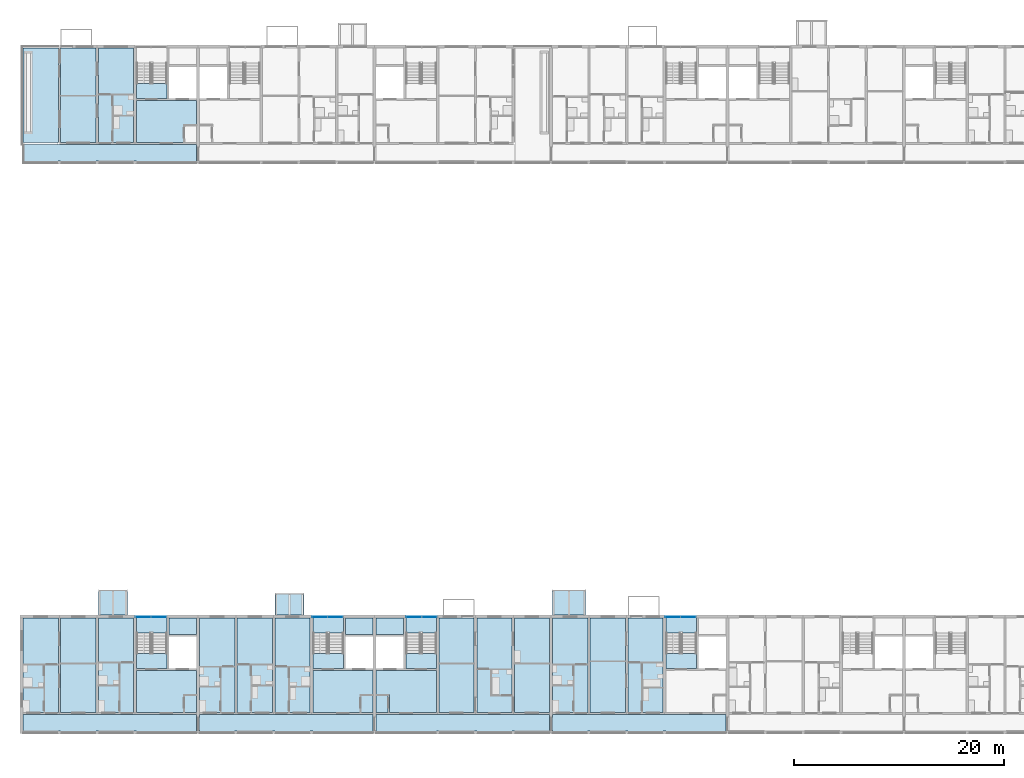
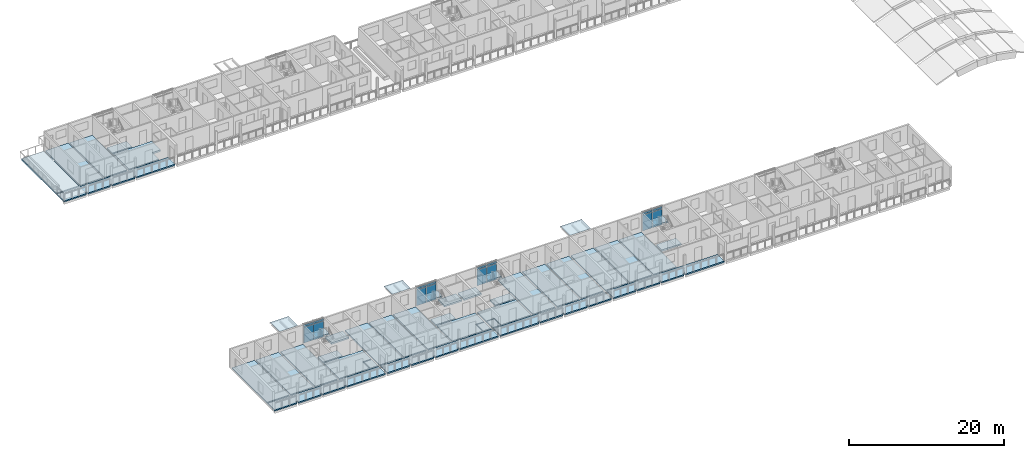
# One storey, part 22 of 93: 42 slabs, 16 plates, 8 elements without a shape of their own.
"""IFC4 building model written with IfcOpenShell, lengths in metres."""

from ifc_helpers import new_model, si_unit, direction, frame, origin, origin_2d, place, context, subcontext, project, spatial, polyline, rectangle, outline, extrude, material, layer, layer_set, type_object, element, aggregate, save


model = new_model("IFC4")

# Units and contexts
model_context = context("Model", 3, precision=1e-05, world=origin(), true_north=direction((0.0, 1.0)))
body_context = subcontext(model_context, "Body", "Model", "MODEL_VIEW")
ifc_project = project(units=[si_unit("LENGTHUNIT", "METRE"), si_unit("AREAUNIT", "SQUARE_METRE"), si_unit("VOLUMEUNIT", "CUBIC_METRE"), si_unit("PLANEANGLEUNIT", "RADIAN"), si_unit("MASSUNIT", "GRAM", prefix="KILO")], contexts=[model_context])

# Site, building, storey
site_placement = place(None, origin())
site = spatial("IfcSite", under=ifc_project, at=site_placement, CompositionType="ELEMENT")
building_placement = place(site_placement, origin())
building = spatial("IfcBuilding", under=site, at=building_placement, Name="Ridgestep Commons", CompositionType="ELEMENT")
storey_placement = place(building_placement, frame((0.0, 0.0, 18.0)))
storey = spatial("IfcBuildingStorey", under=building, at=storey_placement, Name="L06", CompositionType="ELEMENT", Elevation=18.0)

# Slabs
ifc_material_1 = material(Name="Precast concrete C40/50", Category="concrete")
ifc_layer_1 = layer(ifc_material_1, 0.199951171875)
ifc_layer_set_1 = layer_set([ifc_layer_1], Name="Gallery slab 200")
slab_type_1 = type_object("IfcSlabType", Name="Gallery slab 200", PredefinedType="FLOOR", material=ifc_layer_set_1)
slab_1_placement = place(storey_placement, frame((0.0, 0.0, -0.199951171875)))
element("IfcSlab", 1, at=slab_1_placement, inside=storey, type_object=slab_type_1, Name="Gallery slab A1 L06", PredefinedType="FLOOR", context=body_context, shape_type="SweptSolid", body=[
    extrude(outline(polyline([(28.64990234375, 13.550048828125), (12.14990234375, 13.550048828125), (12.14990234375, 11.75), (15.47509765625, 11.75), (15.47509765625, 12.0), (15.72509765625, 12.0), (15.72509765625, 11.75), (19.074951171875, 11.75), (19.074951171875, 12.0), (19.324951171875, 12.0), (19.324951171875, 11.75), (22.675048828125, 11.75), (22.675048828125, 12.0), (22.925048828125, 12.0), (22.925048828125, 11.75), (28.64990234375, 11.75), (28.64990234375, 13.550048828125)])), origin(), (0.0, 0.0, 1.0), 0.199951171875),
])
slab_2_placement = place(storey_placement, frame((0.0, 0.0, -0.199951171875)))
element("IfcSlab", 2, at=slab_2_placement, inside=storey, type_object=slab_type_1, Name="Gallery slab A2 L06", PredefinedType="FLOOR", context=body_context, shape_type="SweptSolid", body=[
    extrude(outline(polyline([(45.449951171875, 13.550048828125), (28.949951171875, 13.550048828125), (28.949951171875, 11.75), (32.27490234375, 11.75), (32.27490234375, 12.0), (32.52490234375, 12.0), (32.52490234375, 11.75), (35.875, 11.75), (35.875, 12.0), (36.125, 12.0), (36.125, 11.75), (39.47509765625, 11.75), (39.47509765625, 12.0), (39.72509765625, 12.0), (39.72509765625, 11.75), (45.449951171875, 11.75), (45.449951171875, 13.550048828125)])), origin(), (0.0, 0.0, 1.0), 0.199951171875),
])
slab_3_placement = place(storey_placement, frame((0.0, 0.0, -0.199951171875)))
element("IfcSlab", 3, at=slab_3_placement, inside=storey, type_object=slab_type_1, Name="Gallery slab A3 L06", PredefinedType="FLOOR", context=body_context, shape_type="SweptSolid", body=[
    extrude(outline(polyline([(62.25, 13.550048828125), (45.75, 13.550048828125), (45.75, 11.75), (51.47509765625, 11.75), (51.47509765625, 12.0), (51.72509765625, 12.0), (51.72509765625, 11.75), (55.074951171875, 11.75), (55.074951171875, 12.0), (55.324951171875, 12.0), (55.324951171875, 11.75), (58.675048828125, 11.75), (58.675048828125, 12.0), (58.925048828125, 12.0), (58.925048828125, 11.75), (62.25, 11.75), (62.25, 13.550048828125)])), origin(), (0.0, 0.0, 1.0), 0.199951171875),
])
slab_4_placement = place(storey_placement, frame((0.0, 0.0, -0.199951171875)))
element("IfcSlab", 4, at=slab_4_placement, inside=storey, type_object=slab_type_1, Name="Gallery slab A4 L06", PredefinedType="FLOOR", context=body_context, shape_type="SweptSolid", body=[
    extrude(outline(polyline([(79.050048828125, 13.550048828125), (62.550048828125, 13.550048828125), (62.550048828125, 11.75), (65.875, 11.75), (65.875, 12.0), (66.125, 12.0), (66.125, 11.75), (69.47509765625, 11.75), (69.47509765625, 12.0), (69.72509765625, 12.0), (69.72509765625, 11.75), (73.074951171875, 11.75), (73.074951171875, 12.0), (73.324951171875, 12.0), (73.324951171875, 11.75), (79.050048828125, 11.75), (79.050048828125, 13.550048828125)])), origin(), (0.0, 0.0, 1.0), 0.199951171875),
])
slab_5_placement = place(storey_placement, frame((0.0, 0.0, -0.199951171875)))
element("IfcSlab", 5, at=slab_5_placement, inside=storey, type_object=slab_type_1, Name="Gallery slab B1 L06", PredefinedType="FLOOR", context=body_context, shape_type="SweptSolid", body=[
    extrude(outline(polyline([(28.64990234375, 67.800048828125), (12.14990234375, 67.800048828125), (12.14990234375, 66.0), (15.47509765625, 66.0), (15.47509765625, 66.25), (15.72509765625, 66.25), (15.72509765625, 66.0), (19.074951171875, 66.0), (19.074951171875, 66.25), (19.324951171875, 66.25), (19.324951171875, 66.0), (22.675048828125, 66.0), (22.675048828125, 66.25), (22.925048828125, 66.25), (22.925048828125, 66.0), (28.64990234375, 66.0), (28.64990234375, 67.800048828125)])), origin(), (0.0, 0.0, 1.0), 0.199951171875),
])

# Curtain wall, plates
ifc_material_2 = material(Name="Aluminium 6063-T6 and glass", Category="aluminium")
curtain_wall_type = type_object("IfcCurtainWallType", Name="Curtain wall stair strip", PredefinedType="NOTDEFINED", material=ifc_material_2)
curtain_wall_1_placement = place(storey_placement, origin())
curtain_wall_1 = element("IfcCurtainWall", 6, at=curtain_wall_1_placement, inside=storey, type_object=curtain_wall_type, Name="Curtain wall A1C level 06", PredefinedType="NOTDEFINED")
ifc_material_3 = material(Name="Glass laminated 6/16/6 low-emissivity", Category="glass")
ifc_layer_2 = layer(ifc_material_3, 0.028076171875)
ifc_layer_set_2 = layer_set([ifc_layer_2], Name="Glazing panel 28")
plate_type_1 = type_object("IfcPlateType", Name="Glazing panel 28", PredefinedType="CURTAIN_PANEL", material=ifc_layer_set_2)
plate_1_placement = place(storey_placement, frame((23.5712890625, 22.830078125, 0.06005859375), z_axis=(0.0, 0.0, 1.0), x_axis=(1.0, 0.0, 0.0)))
plate_1 = element("IfcPlate", 7, at=plate_1_placement, type_object=plate_type_1, Name="CW1 panel 1.1", PredefinedType="CURTAIN_PANEL", context=body_context, shape_type="SweptSolid", body=[
    extrude(rectangle(XDim=1.422607421875, YDim=0.028076171875, at=origin_2d()), origin(), (0.0, 0.0, 1.0), 2.5),
])
plate_2_placement = place(storey_placement, frame((25.0537109375, 22.830078125, 0.06005859375), z_axis=(0.0, 0.0, 1.0), x_axis=(1.0, 0.0, 0.0)))
plate_2 = element("IfcPlate", 8, at=plate_2_placement, type_object=plate_type_1, Name="CW1 panel 2.1", PredefinedType="CURTAIN_PANEL", context=body_context, shape_type="SweptSolid", body=[
    extrude(rectangle(XDim=1.422607421875, YDim=0.028076171875, at=origin_2d()), origin(), (0.0, 0.0, 1.0), 2.5),
])

curtain_wall_2_placement = place(storey_placement, origin())
curtain_wall_2 = element("IfcCurtainWall", 9, at=curtain_wall_2_placement, inside=storey, type_object=curtain_wall_type, Name="Curtain wall A2C level 06", PredefinedType="NOTDEFINED")
plate_3_placement = place(storey_placement, frame((40.371337890625, 22.830078125, 0.06005859375), z_axis=(0.0, 0.0, 1.0), x_axis=(1.0, 0.0, 0.0)))
plate_3 = element("IfcPlate", 10, at=plate_3_placement, type_object=plate_type_1, Name="CW1 panel 1.1", PredefinedType="CURTAIN_PANEL", context=body_context, shape_type="SweptSolid", body=[
    extrude(rectangle(XDim=1.422607421875, YDim=0.028076171875, at=origin_2d()), origin(), (0.0, 0.0, 1.0), 2.5),
])
plate_4_placement = place(storey_placement, frame((41.853759765625, 22.830078125, 0.06005859375), z_axis=(0.0, 0.0, 1.0), x_axis=(1.0, 0.0, 0.0)))
plate_4 = element("IfcPlate", 11, at=plate_4_placement, type_object=plate_type_1, Name="CW1 panel 2.1", PredefinedType="CURTAIN_PANEL", context=body_context, shape_type="SweptSolid", body=[
    extrude(rectangle(XDim=1.422607421875, YDim=0.028076171875, at=origin_2d()), origin(), (0.0, 0.0, 1.0), 2.5),
])

curtain_wall_3_placement = place(storey_placement, origin())
curtain_wall_3 = element("IfcCurtainWall", 12, at=curtain_wall_3_placement, inside=storey, type_object=curtain_wall_type, Name="Curtain wall A3C level 06", PredefinedType="NOTDEFINED")
plate_5_placement = place(storey_placement, frame((49.34619140625, 22.830078125, 0.06005859375), z_axis=(0.0, 0.0, 1.0), x_axis=(1.0, 0.0, 0.0)))
plate_5 = element("IfcPlate", 13, at=plate_5_placement, type_object=plate_type_1, Name="CW1 panel 1.1", PredefinedType="CURTAIN_PANEL", context=body_context, shape_type="SweptSolid", body=[
    extrude(rectangle(XDim=1.422607421875, YDim=0.028076171875, at=origin_2d()), origin(), (0.0, 0.0, 1.0), 2.5),
])
plate_6_placement = place(storey_placement, frame((50.828857421875, 22.830078125, 0.06005859375), z_axis=(0.0, 0.0, 1.0), x_axis=(1.0, 0.0, 0.0)))
plate_6 = element("IfcPlate", 14, at=plate_6_placement, type_object=plate_type_1, Name="CW1 panel 2.1", PredefinedType="CURTAIN_PANEL", context=body_context, shape_type="SweptSolid", body=[
    extrude(rectangle(XDim=1.422607421875, YDim=0.028076171875, at=origin_2d()), origin(), (0.0, 0.0, 1.0), 2.5),
])

curtain_wall_4_placement = place(storey_placement, origin())
curtain_wall_4 = element("IfcCurtainWall", 15, at=curtain_wall_4_placement, inside=storey, type_object=curtain_wall_type, Name="Curtain wall A4C level 06", PredefinedType="NOTDEFINED")
plate_7_placement = place(storey_placement, frame((73.97119140625, 22.830078125, 0.06005859375), z_axis=(0.0, 0.0, 1.0), x_axis=(1.0, 0.0, 0.0)))
plate_7 = element("IfcPlate", 16, at=plate_7_placement, type_object=plate_type_1, Name="CW1 panel 1.1", PredefinedType="CURTAIN_PANEL", context=body_context, shape_type="SweptSolid", body=[
    extrude(rectangle(XDim=1.422607421875, YDim=0.028076171875, at=origin_2d()), origin(), (0.0, 0.0, 1.0), 2.5),
])
plate_8_placement = place(storey_placement, frame((75.453857421875, 22.830078125, 0.06005859375), z_axis=(0.0, 0.0, 1.0), x_axis=(1.0, 0.0, 0.0)))
plate_8 = element("IfcPlate", 17, at=plate_8_placement, type_object=plate_type_1, Name="CW1 panel 2.1", PredefinedType="CURTAIN_PANEL", context=body_context, shape_type="SweptSolid", body=[
    extrude(rectangle(XDim=1.422607421875, YDim=0.028076171875, at=origin_2d()), origin(), (0.0, 0.0, 1.0), 2.5),
])

# Slabs
ifc_material_4 = material(Name="Precast concrete C50/60", Category="concrete")
ifc_layer_3 = layer(ifc_material_4, 0.199951171875)
ifc_layer_set_3 = layer_set([ifc_layer_3], Name="Hollow-core plank 200")
slab_type_2 = type_object("IfcSlabType", Name="Hollow-core plank 200", PredefinedType="FLOOR", material=ifc_layer_set_3)
slab_6_placement = place(storey_placement, frame((0.0, 0.0, -0.199951171875)))
element("IfcSlab", 18, at=slab_6_placement, inside=storey, type_object=slab_type_2, Name="Floor plank A1T1 L06", PredefinedType="FLOOR", context=body_context, shape_type="SweptSolid", body=[
    extrude(outline(polyline([(15.5, 13.75), (15.5, 22.75), (12.14990234375, 22.75), (12.14990234375, 13.75), (15.5, 13.75)])), origin(), (0.0, 0.0, 1.0), 0.199951171875),
])
slab_7_placement = place(storey_placement, frame((0.0, 0.0, -0.199951171875)))
element("IfcSlab", 19, at=slab_7_placement, inside=storey, type_object=slab_type_2, Name="Floor plank A1T2 L06", PredefinedType="FLOOR", context=body_context, shape_type="SweptSolid", body=[
    extrude(outline(polyline([(19.074951171875, 13.75), (19.074951171875, 22.75), (15.699951171875, 22.75), (15.699951171875, 13.75), (19.074951171875, 13.75)])), origin(), (0.0, 0.0, 1.0), 0.199951171875),
])
slab_8_placement = place(storey_placement, frame((0.0, 0.0, -0.199951171875)))
element("IfcSlab", 20, at=slab_8_placement, inside=storey, type_object=slab_type_2, Name="Floor plank A1T3 L06", PredefinedType="FLOOR", context=body_context, shape_type="SweptSolid", body=[
    extrude(outline(polyline([(22.675048828125, 13.75), (22.675048828125, 22.75), (19.324951171875, 22.75), (19.324951171875, 13.75), (22.675048828125, 13.75)])), origin(), (0.0, 0.0, 1.0), 0.199951171875),
])
slab_9_placement = place(storey_placement, frame((0.0, 0.0, -0.199951171875)))
element("IfcSlab", 21, at=slab_9_placement, inside=storey, type_object=slab_type_2, Name="Floor plank A2T1 L06", PredefinedType="FLOOR", context=body_context, shape_type="SweptSolid", body=[
    extrude(outline(polyline([(32.300048828125, 13.75), (32.300048828125, 22.75), (28.949951171875, 22.75), (28.949951171875, 13.75), (32.300048828125, 13.75)])), origin(), (0.0, 0.0, 1.0), 0.199951171875),
])
slab_10_placement = place(storey_placement, frame((0.0, 0.0, -0.199951171875)))
element("IfcSlab", 22, at=slab_10_placement, inside=storey, type_object=slab_type_2, Name="Floor plank A2T2 L06", PredefinedType="FLOOR", context=body_context, shape_type="SweptSolid", body=[
    extrude(outline(polyline([(35.89990234375, 13.75), (35.89990234375, 22.75), (32.5, 22.75), (32.5, 13.75), (35.89990234375, 13.75)])), origin(), (0.0, 0.0, 1.0), 0.199951171875),
])
slab_11_placement = place(storey_placement, frame((0.0, 0.0, -0.199951171875)))
element("IfcSlab", 23, at=slab_11_placement, inside=storey, type_object=slab_type_2, Name="Floor plank A2T3 L06", PredefinedType="FLOOR", context=body_context, shape_type="SweptSolid", body=[
    extrude(outline(polyline([(39.47509765625, 13.75), (39.47509765625, 22.75), (36.10009765625, 22.75), (36.10009765625, 13.75), (39.47509765625, 13.75)])), origin(), (0.0, 0.0, 1.0), 0.199951171875),
])
slab_12_placement = place(storey_placement, frame((0.0, 0.0, -0.199951171875)))
element("IfcSlab", 24, at=slab_12_placement, inside=storey, type_object=slab_type_2, Name="Floor plank A3T3 L06", PredefinedType="FLOOR", context=body_context, shape_type="SweptSolid", body=[
    extrude(outline(polyline([(55.074951171875, 13.75), (55.074951171875, 22.75), (51.72509765625, 22.75), (51.72509765625, 13.75), (55.074951171875, 13.75)])), origin(), (0.0, 0.0, 1.0), 0.199951171875),
])
slab_13_placement = place(storey_placement, frame((0.0, 0.0, -0.199951171875)))
element("IfcSlab", 25, at=slab_13_placement, inside=storey, type_object=slab_type_2, Name="Floor plank A3T2 L06", PredefinedType="FLOOR", context=body_context, shape_type="SweptSolid", body=[
    extrude(outline(polyline([(58.675048828125, 13.75), (58.675048828125, 22.75), (55.324951171875, 22.75), (55.324951171875, 13.75), (58.675048828125, 13.75)])), origin(), (0.0, 0.0, 1.0), 0.199951171875),
])
slab_14_placement = place(storey_placement, frame((0.0, 0.0, -0.199951171875)))
element("IfcSlab", 26, at=slab_14_placement, inside=storey, type_object=slab_type_2, Name="Floor plank A3T1 L06", PredefinedType="FLOOR", context=body_context, shape_type="SweptSolid", body=[
    extrude(outline(polyline([(62.25, 13.75), (62.25, 22.75), (58.925048828125, 22.75), (58.925048828125, 13.75), (62.25, 13.75)])), origin(), (0.0, 0.0, 1.0), 0.199951171875),
])
slab_15_placement = place(storey_placement, frame((0.0, 0.0, -0.199951171875)))
element("IfcSlab", 27, at=slab_15_placement, inside=storey, type_object=slab_type_2, Name="Floor plank A4T1 L06", PredefinedType="FLOOR", context=body_context, shape_type="SweptSolid", body=[
    extrude(outline(polyline([(65.89990234375, 13.75), (65.89990234375, 22.75), (62.550048828125, 22.75), (62.550048828125, 13.75), (65.89990234375, 13.75)])), origin(), (0.0, 0.0, 1.0), 0.199951171875),
])
slab_16_placement = place(storey_placement, frame((0.0, 0.0, -0.199951171875)))
element("IfcSlab", 28, at=slab_16_placement, inside=storey, type_object=slab_type_2, Name="Floor plank A4T2 L06", PredefinedType="FLOOR", context=body_context, shape_type="SweptSolid", body=[
    extrude(outline(polyline([(69.5, 13.75), (69.5, 22.75), (66.10009765625, 22.75), (66.10009765625, 13.75), (69.5, 13.75)])), origin(), (0.0, 0.0, 1.0), 0.199951171875),
])
slab_17_placement = place(storey_placement, frame((0.0, 0.0, -0.199951171875)))
element("IfcSlab", 29, at=slab_17_placement, inside=storey, type_object=slab_type_2, Name="Floor plank A4T3 L06", PredefinedType="FLOOR", context=body_context, shape_type="SweptSolid", body=[
    extrude(outline(polyline([(73.074951171875, 13.75), (73.074951171875, 22.75), (69.699951171875, 22.75), (69.699951171875, 13.75), (73.074951171875, 13.75)])), origin(), (0.0, 0.0, 1.0), 0.199951171875),
])
slab_18_placement = place(storey_placement, frame((0.0, 0.0, -0.199951171875)))
element("IfcSlab", 30, at=slab_18_placement, inside=storey, type_object=slab_type_2, Name="Floor plank B1T2 L06", PredefinedType="FLOOR", context=body_context, shape_type="SweptSolid", body=[
    extrude(outline(polyline([(19.10009765625, 68.0), (19.10009765625, 77.0), (15.699951171875, 77.0), (15.699951171875, 68.0), (19.10009765625, 68.0)])), origin(), (0.0, 0.0, 1.0), 0.199951171875),
])
slab_19_placement = place(storey_placement, frame((0.0, 0.0, -0.199951171875)))
element("IfcSlab", 31, at=slab_19_placement, inside=storey, type_object=slab_type_2, Name="Floor plank B1T3 L06", PredefinedType="FLOOR", context=body_context, shape_type="SweptSolid", body=[
    extrude(outline(polyline([(22.675048828125, 68.0), (22.675048828125, 77.0), (19.300048828125, 77.0), (19.300048828125, 68.0), (22.675048828125, 68.0)])), origin(), (0.0, 0.0, 1.0), 0.199951171875),
])
ifc_material_5 = material(Name="Precast concrete C50/60", Category="concrete")
ifc_layer_4 = layer(ifc_material_5, 0.25)
ifc_layer_set_4 = layer_set([ifc_layer_4], Name="Hollow-core plank 250")
slab_type_3 = type_object("IfcSlabType", Name="Hollow-core plank 250", PredefinedType="FLOOR", material=ifc_layer_set_4)
slab_20_placement = place(storey_placement, frame((0.0, 0.0, -0.25)))
element("IfcSlab", 32, at=slab_20_placement, inside=storey, type_object=slab_type_3, Name="Floor plank A1C L06", PredefinedType="FLOOR", context=body_context, shape_type="SweptSolid", body=[
    extrude(outline(polyline([(27.52001953125, 15.469970703125), (28.64990234375, 15.469970703125), (28.64990234375, 17.75), (22.925048828125, 17.75), (22.925048828125, 13.75), (27.39990234375, 13.75), (27.39990234375, 15.469970703125), (27.52001953125, 15.469970703125)])), origin(), (0.0, 0.0, 1.0), 0.25),
])
slab_21_placement = place(storey_placement, frame((0.0, 0.0, -0.25)))
element("IfcSlab", 33, at=slab_21_placement, inside=storey, type_object=slab_type_3, Name="Floor plank A1C L06", PredefinedType="FLOOR", context=body_context, shape_type="SweptSolid", body=[
    extrude(outline(polyline([(28.64990234375, 21.14990234375), (28.64990234375, 22.75), (26.02490234375, 22.75), (26.02490234375, 21.14990234375), (28.64990234375, 21.14990234375)])), origin(), (0.0, 0.0, 1.0), 0.25),
])
slab_22_placement = place(storey_placement, frame((0.0, 0.0, -0.25)))
element("IfcSlab", 34, at=slab_22_placement, inside=storey, type_object=slab_type_3, Name="Floor plank A1C L06", PredefinedType="FLOOR", context=body_context, shape_type="SweptSolid", body=[
    extrude(outline(polyline([(25.824951171875, 17.949951171875), (25.824951171875, 19.35009765625), (22.925048828125, 19.35009765625), (22.925048828125, 17.949951171875), (25.824951171875, 17.949951171875)])), origin(), (0.0, 0.0, 1.0), 0.25),
])
slab_23_placement = place(storey_placement, frame((0.0, 0.0, -0.25)))
element("IfcSlab", 35, at=slab_23_placement, inside=storey, type_object=slab_type_3, Name="Floor plank A1C L06", PredefinedType="FLOOR", context=body_context, shape_type="SweptSolid", body=[
    extrude(outline(polyline([(27.52001953125, 13.75), (28.64990234375, 13.75), (28.64990234375, 15.35009765625), (27.52001953125, 15.35009765625), (27.52001953125, 13.75)])), origin(), (0.0, 0.0, 1.0), 0.25),
])
slab_24_placement = place(storey_placement, frame((0.0, 0.0, -0.25)))
element("IfcSlab", 36, at=slab_24_placement, inside=storey, type_object=slab_type_3, Name="Floor plank A2C L06", PredefinedType="FLOOR", context=body_context, shape_type="SweptSolid", body=[
    extrude(outline(polyline([(44.320068359375, 15.469970703125), (45.449951171875, 15.469970703125), (45.449951171875, 17.75), (39.72509765625, 17.75), (39.72509765625, 13.75), (44.199951171875, 13.75), (44.199951171875, 15.469970703125), (44.320068359375, 15.469970703125)])), origin(), (0.0, 0.0, 1.0), 0.25),
])
slab_25_placement = place(storey_placement, frame((0.0, 0.0, -0.25)))
element("IfcSlab", 37, at=slab_25_placement, inside=storey, type_object=slab_type_3, Name="Floor plank A2C L06", PredefinedType="FLOOR", context=body_context, shape_type="SweptSolid", body=[
    extrude(outline(polyline([(45.449951171875, 21.14990234375), (45.449951171875, 22.75), (42.824951171875, 22.75), (42.824951171875, 21.14990234375), (45.449951171875, 21.14990234375)])), origin(), (0.0, 0.0, 1.0), 0.25),
])
slab_26_placement = place(storey_placement, frame((0.0, 0.0, -0.25)))
element("IfcSlab", 38, at=slab_26_placement, inside=storey, type_object=slab_type_3, Name="Floor plank A2C L06", PredefinedType="FLOOR", context=body_context, shape_type="SweptSolid", body=[
    extrude(outline(polyline([(42.625, 17.949951171875), (42.625, 19.35009765625), (39.72509765625, 19.35009765625), (39.72509765625, 17.949951171875), (42.625, 17.949951171875)])), origin(), (0.0, 0.0, 1.0), 0.25),
])
slab_27_placement = place(storey_placement, frame((0.0, 0.0, -0.25)))
element("IfcSlab", 39, at=slab_27_placement, inside=storey, type_object=slab_type_3, Name="Floor plank A2C L06", PredefinedType="FLOOR", context=body_context, shape_type="SweptSolid", body=[
    extrude(outline(polyline([(44.320068359375, 13.75), (45.449951171875, 13.75), (45.449951171875, 15.35009765625), (44.320068359375, 15.35009765625), (44.320068359375, 13.75)])), origin(), (0.0, 0.0, 1.0), 0.25),
])
slab_28_placement = place(storey_placement, frame((0.0, 0.0, -0.25)))
element("IfcSlab", 40, at=slab_28_placement, inside=storey, type_object=slab_type_3, Name="Floor plank A3C L06", PredefinedType="FLOOR", context=body_context, shape_type="SweptSolid", body=[
    extrude(outline(polyline([(47.0, 13.75), (51.47509765625, 13.75), (51.47509765625, 17.75), (45.75, 17.75), (45.75, 15.469970703125), (46.8798828125, 15.469970703125), (47.0, 15.469970703125), (47.0, 13.75)])), origin(), (0.0, 0.0, 1.0), 0.25),
])
slab_29_placement = place(storey_placement, frame((0.0, 0.0, -0.25)))
element("IfcSlab", 41, at=slab_29_placement, inside=storey, type_object=slab_type_3, Name="Floor plank A3C L06", PredefinedType="FLOOR", context=body_context, shape_type="SweptSolid", body=[
    extrude(outline(polyline([(48.375, 22.75), (45.75, 22.75), (45.75, 21.14990234375), (48.375, 21.14990234375), (48.375, 22.75)])), origin(), (0.0, 0.0, 1.0), 0.25),
])
slab_30_placement = place(storey_placement, frame((0.0, 0.0, -0.25)))
element("IfcSlab", 42, at=slab_30_placement, inside=storey, type_object=slab_type_3, Name="Floor plank A3C L06", PredefinedType="FLOOR", context=body_context, shape_type="SweptSolid", body=[
    extrude(outline(polyline([(51.47509765625, 17.949951171875), (51.47509765625, 19.35009765625), (48.574951171875, 19.35009765625), (48.574951171875, 17.949951171875), (51.47509765625, 17.949951171875)])), origin(), (0.0, 0.0, 1.0), 0.25),
])
slab_31_placement = place(storey_placement, frame((0.0, 0.0, -0.25)))
element("IfcSlab", 43, at=slab_31_placement, inside=storey, type_object=slab_type_3, Name="Floor plank A3C L06", PredefinedType="FLOOR", context=body_context, shape_type="SweptSolid", body=[
    extrude(outline(polyline([(46.8798828125, 15.35009765625), (45.75, 15.35009765625), (45.75, 13.75), (46.8798828125, 13.75), (46.8798828125, 15.35009765625)])), origin(), (0.0, 0.0, 1.0), 0.25),
])
slab_32_placement = place(storey_placement, frame((0.0, 0.0, -0.25)))
element("IfcSlab", 44, at=slab_32_placement, inside=storey, type_object=slab_type_3, Name="Floor plank A4C L06", PredefinedType="FLOOR", context=body_context, shape_type="SweptSolid", body=[
    extrude(outline(polyline([(76.22509765625, 17.949951171875), (76.22509765625, 19.35009765625), (73.324951171875, 19.35009765625), (73.324951171875, 17.949951171875), (76.22509765625, 17.949951171875)])), origin(), (0.0, 0.0, 1.0), 0.25),
])
slab_33_placement = place(storey_placement, frame((0.0, 0.0, -0.25)))
element("IfcSlab", 45, at=slab_33_placement, inside=storey, type_object=slab_type_3, Name="Floor plank B1C L06", PredefinedType="FLOOR", context=body_context, shape_type="SweptSolid", body=[
    extrude(outline(polyline([(27.52001953125, 69.719970703125), (28.64990234375, 69.719970703125), (28.64990234375, 72.0), (22.925048828125, 72.0), (22.925048828125, 68.0), (27.39990234375, 68.0), (27.39990234375, 69.719970703125), (27.52001953125, 69.719970703125)])), origin(), (0.0, 0.0, 1.0), 0.25),
])
slab_34_placement = place(storey_placement, frame((0.0, 0.0, -0.25)))
element("IfcSlab", 46, at=slab_34_placement, inside=storey, type_object=slab_type_3, Name="Floor plank B1C L06", PredefinedType="FLOOR", context=body_context, shape_type="SweptSolid", body=[
    extrude(outline(polyline([(25.824951171875, 72.199951171875), (25.824951171875, 73.60009765625), (22.925048828125, 73.60009765625), (22.925048828125, 72.199951171875), (25.824951171875, 72.199951171875)])), origin(), (0.0, 0.0, 1.0), 0.25),
])
ifc_material_6 = material(Name="Precast concrete C50/60", Category="concrete")
ifc_layer_5 = layer(ifc_material_6, 0.25)
ifc_layer_set_5 = layer_set([ifc_layer_5], Name="Roof slab 250")
slab_type_4 = type_object("IfcSlabType", Name="Roof slab 250", PredefinedType="ROOF", material=ifc_layer_set_5)
slab_35_placement = place(storey_placement, frame((0.0, 0.0, -0.25)))
element("IfcSlab", 47, at=slab_35_placement, inside=storey, type_object=slab_type_4, Name="Terrace slab B1T1", PredefinedType="ROOF", context=body_context, shape_type="SweptSolid", body=[
    extrude(outline(polyline([(15.5, 68.0), (15.5, 77.0), (12.14990234375, 77.0), (12.14990234375, 68.0), (15.5, 68.0)])), origin(), (0.0, 0.0, 1.0), 0.25),
])

# Plate
ifc_material_7 = material(Name="Aluminium 6063-T6 and mineral wool", Category="aluminium")
ifc_layer_6 = layer(ifc_material_7, 0.0400390625)
ifc_layer_set_6 = layer_set([ifc_layer_6], Name="Spandrel panel 40")
plate_type_2 = type_object("IfcPlateType", Name="Spandrel panel 40", PredefinedType="CURTAIN_PANEL", material=ifc_layer_set_6)
plate_9_placement = place(storey_placement, frame((23.5712890625, 22.830078125, 2.6201171875), z_axis=(0.0, 0.0, 1.0), x_axis=(1.0, 0.0, 0.0)))
plate_9 = element("IfcPlate", 48, at=plate_9_placement, type_object=plate_type_2, Name="CW1 panel 1.2", PredefinedType="CURTAIN_PANEL", context=body_context, shape_type="SweptSolid", body=[
    extrude(rectangle(XDim=1.422607421875, YDim=0.0400390625, at=origin_2d()), origin(), (0.0, 0.0, 1.0), 0.320068359375),
])

plate_10_placement = place(storey_placement, frame((25.0537109375, 22.830078125, 2.6201171875), z_axis=(0.0, 0.0, 1.0), x_axis=(1.0, 0.0, 0.0)))
plate_10 = element("IfcPlate", 49, at=plate_10_placement, type_object=plate_type_2, Name="CW1 panel 2.2", PredefinedType="CURTAIN_PANEL", context=body_context, shape_type="SweptSolid", body=[
    extrude(rectangle(XDim=1.422607421875, YDim=0.0400390625, at=origin_2d()), origin(), (0.0, 0.0, 1.0), 0.320068359375),
])

aggregate(curtain_wall_1, [plate_1, plate_9, plate_2, plate_10])

plate_11_placement = place(storey_placement, frame((40.371337890625, 22.830078125, 2.6201171875), z_axis=(0.0, 0.0, 1.0), x_axis=(1.0, 0.0, 0.0)))
plate_11 = element("IfcPlate", 50, at=plate_11_placement, type_object=plate_type_2, Name="CW1 panel 1.2", PredefinedType="CURTAIN_PANEL", context=body_context, shape_type="SweptSolid", body=[
    extrude(rectangle(XDim=1.422607421875, YDim=0.0400390625, at=origin_2d()), origin(), (0.0, 0.0, 1.0), 0.320068359375),
])

plate_12_placement = place(storey_placement, frame((41.853759765625, 22.830078125, 2.6201171875), z_axis=(0.0, 0.0, 1.0), x_axis=(1.0, 0.0, 0.0)))
plate_12 = element("IfcPlate", 51, at=plate_12_placement, type_object=plate_type_2, Name="CW1 panel 2.2", PredefinedType="CURTAIN_PANEL", context=body_context, shape_type="SweptSolid", body=[
    extrude(rectangle(XDim=1.422607421875, YDim=0.0400390625, at=origin_2d()), origin(), (0.0, 0.0, 1.0), 0.320068359375),
])

aggregate(curtain_wall_2, [plate_3, plate_11, plate_4, plate_12])

plate_13_placement = place(storey_placement, frame((49.34619140625, 22.830078125, 2.6201171875), z_axis=(0.0, 0.0, 1.0), x_axis=(1.0, 0.0, 0.0)))
plate_13 = element("IfcPlate", 52, at=plate_13_placement, type_object=plate_type_2, Name="CW1 panel 1.2", PredefinedType="CURTAIN_PANEL", context=body_context, shape_type="SweptSolid", body=[
    extrude(rectangle(XDim=1.422607421875, YDim=0.0400390625, at=origin_2d()), origin(), (0.0, 0.0, 1.0), 0.320068359375),
])

plate_14_placement = place(storey_placement, frame((50.828857421875, 22.830078125, 2.6201171875), z_axis=(0.0, 0.0, 1.0), x_axis=(1.0, 0.0, 0.0)))
plate_14 = element("IfcPlate", 53, at=plate_14_placement, type_object=plate_type_2, Name="CW1 panel 2.2", PredefinedType="CURTAIN_PANEL", context=body_context, shape_type="SweptSolid", body=[
    extrude(rectangle(XDim=1.422607421875, YDim=0.0400390625, at=origin_2d()), origin(), (0.0, 0.0, 1.0), 0.320068359375),
])

aggregate(curtain_wall_3, [plate_5, plate_13, plate_6, plate_14])

plate_15_placement = place(storey_placement, frame((73.97119140625, 22.830078125, 2.6201171875), z_axis=(0.0, 0.0, 1.0), x_axis=(1.0, 0.0, 0.0)))
plate_15 = element("IfcPlate", 54, at=plate_15_placement, type_object=plate_type_2, Name="CW1 panel 1.2", PredefinedType="CURTAIN_PANEL", context=body_context, shape_type="SweptSolid", body=[
    extrude(rectangle(XDim=1.422607421875, YDim=0.0400390625, at=origin_2d()), origin(), (0.0, 0.0, 1.0), 0.320068359375),
])

plate_16_placement = place(storey_placement, frame((75.453857421875, 22.830078125, 2.6201171875), z_axis=(0.0, 0.0, 1.0), x_axis=(1.0, 0.0, 0.0)))
plate_16 = element("IfcPlate", 55, at=plate_16_placement, type_object=plate_type_2, Name="CW1 panel 2.2", PredefinedType="CURTAIN_PANEL", context=body_context, shape_type="SweptSolid", body=[
    extrude(rectangle(XDim=1.422607421875, YDim=0.0400390625, at=origin_2d()), origin(), (0.0, 0.0, 1.0), 0.320068359375),
])

aggregate(curtain_wall_4, [plate_7, plate_15, plate_8, plate_16])

# Stair, slab
ifc_material_8 = material(Name="Precast concrete C40/50", Category="concrete")
stair_type = type_object("IfcStairType", Name="Escape stair 1400", PredefinedType="HALF_TURN_STAIR", material=ifc_material_8)
stair_1_placement = place(storey_placement, origin())
stair_1 = element("IfcStair", 56, at=stair_1_placement, inside=storey, type_object=stair_type, Name="L06 Escape stair A1C", PredefinedType="HALF_TURN_STAIR")
ifc_material_9 = material(Name="Precast concrete C40/50", Category="concrete")
ifc_layer_7 = layer(ifc_material_9, 0.199951171875)
ifc_layer_set_7 = layer_set([ifc_layer_7], Name="Stair landing 200")
slab_type_5 = type_object("IfcSlabType", Name="Stair landing 200", PredefinedType="LANDING", material=ifc_layer_set_7)
slab_36_placement = place(storey_placement, frame((0.0, 0.0, 1.300048828125)))
slab_36 = element("IfcSlab", 57, at=slab_36_placement, type_object=slab_type_5, Name="A1C landing 1", PredefinedType="LANDING", context=body_context, shape_type="SweptSolid", body=[
    extrude(outline(polyline([(25.824951171875, 21.31005859375), (25.824951171875, 22.75), (22.925048828125, 22.75), (22.925048828125, 21.31005859375), (25.824951171875, 21.31005859375)])), origin(), (0.0, 0.0, 1.0), 0.199951171875),
])
aggregate(stair_1, [slab_36])

stair_2_placement = place(storey_placement, origin())
stair_2 = element("IfcStair", 58, at=stair_2_placement, inside=storey, type_object=stair_type, Name="L06 Escape stair A2C", PredefinedType="HALF_TURN_STAIR")
slab_37_placement = place(storey_placement, frame((0.0, 0.0, 1.300048828125)))
slab_37 = element("IfcSlab", 59, at=slab_37_placement, type_object=slab_type_5, Name="A2C landing 1", PredefinedType="LANDING", context=body_context, shape_type="SweptSolid", body=[
    extrude(outline(polyline([(42.625, 21.31005859375), (42.625, 22.75), (39.72509765625, 22.75), (39.72509765625, 21.31005859375), (42.625, 21.31005859375)])), origin(), (0.0, 0.0, 1.0), 0.199951171875),
])
aggregate(stair_2, [slab_37])

stair_3_placement = place(storey_placement, origin())
stair_3 = element("IfcStair", 60, at=stair_3_placement, inside=storey, type_object=stair_type, Name="L06 Escape stair A3C", PredefinedType="HALF_TURN_STAIR")
slab_38_placement = place(storey_placement, frame((0.0, 0.0, 1.300048828125)))
slab_38 = element("IfcSlab", 61, at=slab_38_placement, type_object=slab_type_5, Name="A3C landing 1", PredefinedType="LANDING", context=body_context, shape_type="SweptSolid", body=[
    extrude(outline(polyline([(51.47509765625, 21.31005859375), (51.47509765625, 22.75), (48.574951171875, 22.75), (48.574951171875, 21.31005859375), (51.47509765625, 21.31005859375)])), origin(), (0.0, 0.0, 1.0), 0.199951171875),
])
aggregate(stair_3, [slab_38])

stair_4_placement = place(storey_placement, origin())
stair_4 = element("IfcStair", 62, at=stair_4_placement, inside=storey, type_object=stair_type, Name="L06 Escape stair A4C", PredefinedType="HALF_TURN_STAIR")
slab_39_placement = place(storey_placement, frame((0.0, 0.0, 1.300048828125)))
slab_39 = element("IfcSlab", 63, at=slab_39_placement, type_object=slab_type_5, Name="A4C landing 1", PredefinedType="LANDING", context=body_context, shape_type="SweptSolid", body=[
    extrude(outline(polyline([(76.22509765625, 21.31005859375), (76.22509765625, 22.75), (73.324951171875, 22.75), (73.324951171875, 21.31005859375), (76.22509765625, 21.31005859375)])), origin(), (0.0, 0.0, 1.0), 0.199951171875),
])
aggregate(stair_4, [slab_39])

# Slabs
ifc_material_10 = material(Name="Weathering steel S355J2W", Category="steel")
ifc_layer_8 = layer(ifc_material_10, 0.010009765625)
ifc_layer_set_8 = layer_set([ifc_layer_8], Name="Tray 2.8 x 2.1")
slab_type_6 = type_object("IfcSlabType", Name="Tray 2.8 x 2.1", PredefinedType="FLOOR", material=ifc_layer_set_8)
slab_40_placement = place(storey_placement, frame((0.0, 0.0, 2.989990234375)))
element("IfcSlab", 64, at=slab_40_placement, inside=storey, type_object=slab_type_6, Name="Tray deck A2T3-07", PredefinedType="FLOOR", context=body_context, shape_type="SweptSolid", body=[
    extrude(outline(polyline([(36.1298828125, 23.0), (38.8701171875, 23.0), (38.8701171875, 25.10009765625), (36.1298828125, 25.10009765625), (36.1298828125, 23.0)])), origin(), (0.0, 0.0, 1.0), 0.010009765625),
])
ifc_material_11 = material(Name="Weathering steel S355J2W", Category="steel")
ifc_layer_9 = layer(ifc_material_11, 0.010009765625)
ifc_layer_set_9 = layer_set([ifc_layer_9], Name="Tray 2.8 x 2.4")
slab_type_7 = type_object("IfcSlabType", Name="Tray 2.8 x 2.4", PredefinedType="FLOOR", material=ifc_layer_set_9)
slab_41_placement = place(storey_placement, frame((0.0, 0.0, 2.989990234375)))
element("IfcSlab", 65, at=slab_41_placement, inside=storey, type_object=slab_type_7, Name="Tray deck A1T3-07", PredefinedType="FLOOR", context=body_context, shape_type="SweptSolid", body=[
    extrude(outline(polyline([(19.330078125, 23.0), (22.070068359375, 23.0), (22.070068359375, 25.39990234375), (19.330078125, 25.39990234375), (19.330078125, 23.0)])), origin(), (0.0, 0.0, 1.0), 0.010009765625),
])
ifc_material_12 = material(Name="Weathering steel S355J2W", Category="steel")
ifc_layer_10 = layer(ifc_material_12, 0.010009765625)
ifc_layer_set_10 = layer_set([ifc_layer_10], Name="Tray 3.2 x 2.4")
slab_type_8 = type_object("IfcSlabType", Name="Tray 3.2 x 2.4", PredefinedType="FLOOR", material=ifc_layer_set_10)
slab_42_placement = place(storey_placement, frame((0.0, 0.0, 2.989990234375)))
element("IfcSlab", 66, at=slab_42_placement, inside=storey, type_object=slab_type_8, Name="Tray deck A4T1-07", PredefinedType="FLOOR", context=body_context, shape_type="SweptSolid", body=[
    extrude(outline(polyline([(62.530029296875, 23.0), (65.669921875, 23.0), (65.669921875, 25.39990234375), (62.530029296875, 25.39990234375), (62.530029296875, 23.0)])), origin(), (0.0, 0.0, 1.0), 0.010009765625),
])

save(model, "model.ifc")
